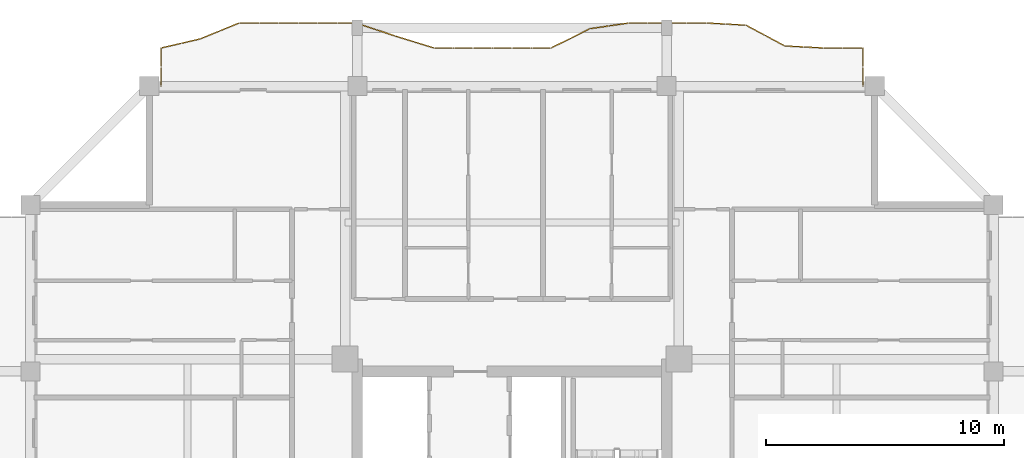
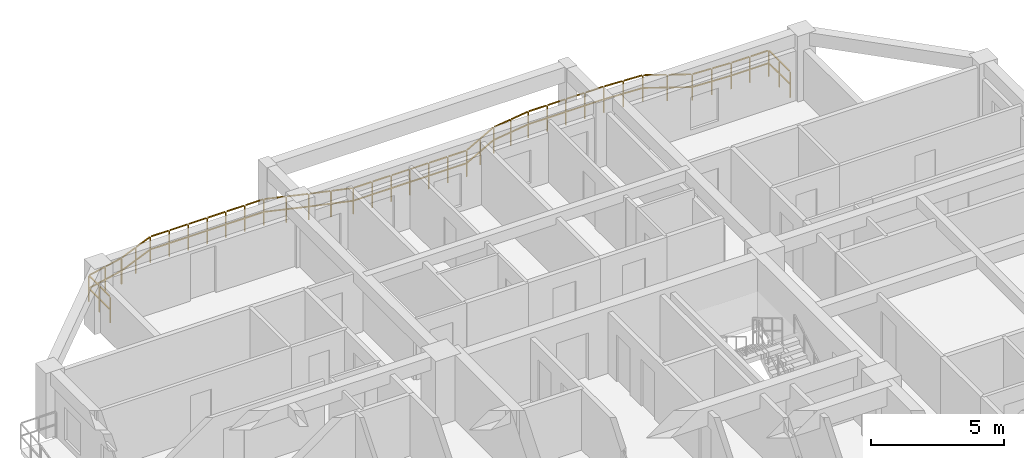
# One storey, part 13 of 13: 1 railing.
"""IFC4 building model written with IfcOpenShell, lengths in metres."""

from ifc_helpers import new_model, si_unit, direction, frame, origin, origin_2d, place, context, subcontext, project, spatial, rectangle, extrude, material, type_object, element, save


model = new_model("IFC4")

# Units and contexts
model_context = context("Model", 3, precision=1e-05, world=origin(), true_north=direction((0.0, 1.0)))
body_context = subcontext(model_context, "Body", "Model", "MODEL_VIEW")
ifc_project = project(units=[si_unit("LENGTHUNIT", "METRE"), si_unit("AREAUNIT", "SQUARE_METRE"), si_unit("VOLUMEUNIT", "CUBIC_METRE"), si_unit("PLANEANGLEUNIT", "RADIAN"), si_unit("MASSUNIT", "GRAM", prefix="KILO")], contexts=[model_context])

# Site, building, storey
site_placement = place(None, origin())
site = spatial("IfcSite", under=ifc_project, at=site_placement, CompositionType="ELEMENT")
building_placement = place(site_placement, origin())
building = spatial("IfcBuilding", under=site, at=building_placement, Name="Saelheon Loggia Tower", CompositionType="ELEMENT")
storey_placement = place(building_placement, frame((0.0, 0.0, 189.699951171875)))
storey = spatial("IfcBuildingStorey", under=building, at=storey_placement, Name="L59", CompositionType="ELEMENT", Elevation=189.699951171875)

# Railing
ifc_material = material(Name="Architectural Precast Concrete and Laminated Glass Guard", Category="concrete")
railing_type = type_object("IfcRailingType", Name="Guard_Loggia_RL_LOG", PredefinedType="BALUSTRADE", material=ifc_material)
railing_placement = place(storey_placement, frame((52.75, 48.0, 0.0)))
element("IfcRailing", 1, at=railing_placement, inside=storey, type_object=railing_type, Name="L59 North Loggia Balustrade", PredefinedType="BALUSTRADE", context=body_context, shape_type="SweptSolid", body=[
    extrude(rectangle(XDim=0.048095703125, YDim=0.048095703125, at=origin_2d()), frame((0.0, 0.033203125, 1.19580078125), z_axis=(0.0, 1.0, 0.0), x_axis=(-1.0, 0.0, 0.0)), (0.0, 0.0, 1.0), 0.733642578125),
    extrude(rectangle(XDim=0.048095703125, YDim=0.048095703125, at=origin_2d()), frame((0.0, 0.033203125, 0.60986328125), z_axis=(0.0, 1.0, 0.0), x_axis=(-1.0, 0.0, 0.0)), (0.0, 0.0, 1.0), 0.733642578125),
    extrude(rectangle(XDim=0.048095703125, YDim=0.048095703125, at=origin_2d()), frame((0.0, 0.833251953125, 1.19580078125), z_axis=(0.0, 1.0, 0.0), x_axis=(-1.0, 0.0, 0.0)), (0.0, 0.0, 1.0), 0.733642578125),
    extrude(rectangle(XDim=0.048095703125, YDim=0.048095703125, at=origin_2d()), frame((0.0, 0.833251953125, 0.60986328125), z_axis=(0.0, 1.0, 0.0), x_axis=(-1.0, 0.0, 0.0)), (0.0, 0.0, 1.0), 0.733642578125),
    extrude(rectangle(XDim=0.048095703125, YDim=0.048095703125, at=origin_2d()), frame((-0.033203125, 1.60009765625, 1.19580078125), z_axis=(-1.0, 0.0, 0.0), x_axis=(0.0, -1.0, 0.0)), (0.0, 0.0, 1.0), 0.7529296875),
    extrude(rectangle(XDim=0.048095703125, YDim=0.048095703125, at=origin_2d()), frame((-0.033203125, 1.60009765625, 0.60986328125), z_axis=(-1.0, 0.0, 0.0), x_axis=(0.0, -1.0, 0.0)), (0.0, 0.0, 1.0), 0.7529296875),
    extrude(rectangle(XDim=0.048095703125, YDim=0.048095703125, at=origin_2d()), frame((-0.852783203125, 1.60009765625, 1.19580078125), z_axis=(-1.0, 0.0, 0.0), x_axis=(0.0, -1.0, 0.0)), (0.0, 0.0, 1.0), 0.7529296875),
    extrude(rectangle(XDim=0.048095703125, YDim=0.048095703125, at=origin_2d()), frame((-0.852783203125, 1.60009765625, 0.60986328125), z_axis=(-1.0, 0.0, 0.0), x_axis=(0.0, -1.0, 0.0)), (0.0, 0.0, 1.0), 0.7529296875),
    extrude(rectangle(XDim=0.048095703125, YDim=0.048095703125, at=origin_2d()), frame((-1.672119140625, 1.601806640625, 1.19580078125), z_axis=(-0.998651321958, 0.051918562694, 0.0), x_axis=(-0.051918562694, -0.998651321958, 0.0)), (0.0, 0.0, 1.0), 0.754150390625),
    extrude(rectangle(XDim=0.048095703125, YDim=0.048095703125, at=origin_2d()), frame((-1.672119140625, 1.601806640625, 0.60986328125), z_axis=(-0.998651321958, 0.051918562694, 0.0), x_axis=(-0.051918562694, -0.998651321958, 0.0)), (0.0, 0.0, 1.0), 0.754150390625),
    extrude(rectangle(XDim=0.048095703125, YDim=0.048095703125, at=origin_2d()), frame((-2.491455078125, 1.64453125, 1.19580078125), z_axis=(-0.998651321958, 0.051918562694, 0.0), x_axis=(-0.051918562694, -0.998651321958, 0.0)), (0.0, 0.0, 1.0), 0.754150390625),
    extrude(rectangle(XDim=0.048095703125, YDim=0.048095703125, at=origin_2d()), frame((-2.491455078125, 1.64453125, 0.60986328125), z_axis=(-0.998651321958, 0.051918562694, 0.0), x_axis=(-0.051918562694, -0.998651321958, 0.0)), (0.0, 0.0, 1.0), 0.754150390625),
    extrude(rectangle(XDim=0.048095703125, YDim=0.048095703125, at=origin_2d()), frame((-3.30712890625, 1.700927734375, 1.19580078125), z_axis=(-0.882149151699, 0.47097014147, 0.0), x_axis=(-0.47097014147, -0.882149151699, 0.0)), (0.0, 0.0, 1.0), 0.862548828125),
    extrude(rectangle(XDim=0.048095703125, YDim=0.048095703125, at=origin_2d()), frame((-3.30712890625, 1.700927734375, 0.60986328125), z_axis=(-0.882149151699, 0.47097014147, 0.0), x_axis=(-0.47097014147, -0.882149151699, 0.0)), (0.0, 0.0, 1.0), 0.862548828125),
    extrude(rectangle(XDim=0.048095703125, YDim=0.048095703125, at=origin_2d()), frame((-4.126708984375, 2.138427734375, 1.19580078125), z_axis=(-0.882149151699, 0.47097014147, 0.0), x_axis=(-0.47097014147, -0.882149151699, 0.0)), (0.0, 0.0, 1.0), 0.862548828125),
    extrude(rectangle(XDim=0.048095703125, YDim=0.048095703125, at=origin_2d()), frame((-4.126708984375, 2.138427734375, 0.60986328125), z_axis=(-0.882149151699, 0.47097014147, 0.0), x_axis=(-0.47097014147, -0.882149151699, 0.0)), (0.0, 0.0, 1.0), 0.862548828125),
    extrude(rectangle(XDim=0.048095703125, YDim=0.048095703125, at=origin_2d()), frame((-4.949951171875, 2.56201171875, 1.19580078125), z_axis=(-0.998508934744, 0.054588526598, 0.0), x_axis=(-0.054588526598, -0.998508934744, 0.0)), (0.0, 0.0, 1.0), 0.754150390625),
    extrude(rectangle(XDim=0.048095703125, YDim=0.048095703125, at=origin_2d()), frame((-4.949951171875, 2.56201171875, 0.60986328125), z_axis=(-0.998508934744, 0.054588526598, 0.0), x_axis=(-0.054588526598, -0.998508934744, 0.0)), (0.0, 0.0, 1.0), 0.754150390625),
    extrude(rectangle(XDim=0.048095703125, YDim=0.048095703125, at=origin_2d()), frame((-5.769287109375, 2.60693359375, 1.19580078125), z_axis=(-0.998508934744, 0.054588526598, 0.0), x_axis=(-0.054588526598, -0.998508934744, 0.0)), (0.0, 0.0, 1.0), 0.754150390625),
    extrude(rectangle(XDim=0.048095703125, YDim=0.048095703125, at=origin_2d()), frame((-5.769287109375, 2.60693359375, 0.60986328125), z_axis=(-0.998508934744, 0.054588526598, 0.0), x_axis=(-0.054588526598, -0.998508934744, 0.0)), (0.0, 0.0, 1.0), 0.754150390625),
    extrude(rectangle(XDim=0.048095703125, YDim=0.048095703125, at=origin_2d()), frame((-6.5888671875, 2.64990234375, 1.19580078125), z_axis=(-1.0, 0.0, 0.0), x_axis=(0.0, -1.0, 0.0)), (0.0, 0.0, 1.0), 0.7529296875),
    extrude(rectangle(XDim=0.048095703125, YDim=0.048095703125, at=origin_2d()), frame((-6.5888671875, 2.64990234375, 0.60986328125), z_axis=(-1.0, 0.0, 0.0), x_axis=(0.0, -1.0, 0.0)), (0.0, 0.0, 1.0), 0.7529296875),
    extrude(rectangle(XDim=0.048095703125, YDim=0.048095703125, at=origin_2d()), frame((-7.408203125, 2.64990234375, 1.19580078125), z_axis=(-1.0, 0.0, 0.0), x_axis=(0.0, -1.0, 0.0)), (0.0, 0.0, 1.0), 0.7529296875),
    extrude(rectangle(XDim=0.048095703125, YDim=0.048095703125, at=origin_2d()), frame((-7.408203125, 2.64990234375, 0.60986328125), z_axis=(-1.0, 0.0, 0.0), x_axis=(0.0, -1.0, 0.0)), (0.0, 0.0, 1.0), 0.7529296875),
    extrude(rectangle(XDim=0.048095703125, YDim=0.048095703125, at=origin_2d()), frame((-8.2275390625, 2.64990234375, 1.19580078125), z_axis=(-1.0, 0.0, 0.0), x_axis=(0.0, -1.0, 0.0)), (0.0, 0.0, 1.0), 0.7529296875),
    extrude(rectangle(XDim=0.048095703125, YDim=0.048095703125, at=origin_2d()), frame((-8.2275390625, 2.64990234375, 0.60986328125), z_axis=(-1.0, 0.0, 0.0), x_axis=(0.0, -1.0, 0.0)), (0.0, 0.0, 1.0), 0.7529296875),
    extrude(rectangle(XDim=0.048095703125, YDim=0.048095703125, at=origin_2d()), frame((-9.047119140625, 2.64990234375, 1.19580078125), z_axis=(-1.0, 0.0, 0.0), x_axis=(0.0, -1.0, 0.0)), (0.0, 0.0, 1.0), 0.7529296875),
    extrude(rectangle(XDim=0.048095703125, YDim=0.048095703125, at=origin_2d()), frame((-9.047119140625, 2.64990234375, 0.60986328125), z_axis=(-1.0, 0.0, 0.0), x_axis=(0.0, -1.0, 0.0)), (0.0, 0.0, 1.0), 0.7529296875),
    extrude(rectangle(XDim=0.048095703125, YDim=0.048095703125, at=origin_2d()), frame((-9.8662109375, 2.64501953125, 1.19580078125), z_axis=(-0.989299780528, -0.145897033029, 0.0), x_axis=(0.145897033029, -0.989299780528, 0.0)), (0.0, 0.0, 1.0), 0.761962890625),
    extrude(rectangle(XDim=0.048095703125, YDim=0.048095703125, at=origin_2d()), frame((-9.8662109375, 2.64501953125, 0.60986328125), z_axis=(-0.989299780528, -0.145897033029, 0.0), x_axis=(0.145897033029, -0.989299780528, 0.0)), (0.0, 0.0, 1.0), 0.761962890625),
    extrude(rectangle(XDim=0.048095703125, YDim=0.048095703125, at=origin_2d()), frame((-10.685546875, 2.524169921875, 1.19580078125), z_axis=(-0.989299780528, -0.145897033029, 0.0), x_axis=(0.145897033029, -0.989299780528, 0.0)), (0.0, 0.0, 1.0), 0.761962890625),
    extrude(rectangle(XDim=0.048095703125, YDim=0.048095703125, at=origin_2d()), frame((-10.685546875, 2.524169921875, 0.60986328125), z_axis=(-0.989299780528, -0.145897033029, 0.0), x_axis=(0.145897033029, -0.989299780528, 0.0)), (0.0, 0.0, 1.0), 0.761962890625),
    extrude(rectangle(XDim=0.048095703125, YDim=0.048095703125, at=origin_2d()), frame((-11.501953125, 2.3935546875, 1.19580078125), z_axis=(-0.896898457254, -0.442236540073, 0.0), x_axis=(0.442236540073, -0.896898457254, 0.0)), (0.0, 0.0, 1.0), 0.84716796875),
    extrude(rectangle(XDim=0.048095703125, YDim=0.048095703125, at=origin_2d()), frame((-11.501953125, 2.3935546875, 0.60986328125), z_axis=(-0.896898457254, -0.442236540073, 0.0), x_axis=(0.442236540073, -0.896898457254, 0.0)), (0.0, 0.0, 1.0), 0.84716796875),
    extrude(rectangle(XDim=0.048095703125, YDim=0.048095703125, at=origin_2d()), frame((-12.321533203125, 1.989501953125, 1.19580078125), z_axis=(-0.896898457254, -0.442236540073, 0.0), x_axis=(0.442236540073, -0.896898457254, 0.0)), (0.0, 0.0, 1.0), 0.84716796875),
    extrude(rectangle(XDim=0.048095703125, YDim=0.048095703125, at=origin_2d()), frame((-12.321533203125, 1.989501953125, 0.60986328125), z_axis=(-0.896898457254, -0.442236540073, 0.0), x_axis=(0.442236540073, -0.896898457254, 0.0)), (0.0, 0.0, 1.0), 0.84716796875),
    extrude(rectangle(XDim=0.048095703125, YDim=0.048095703125, at=origin_2d()), frame((-13.144287109375, 1.60009765625, 1.19580078125), z_axis=(-1.0, 0.0, 0.0), x_axis=(0.0, -1.0, 0.0)), (0.0, 0.0, 1.0), 0.7529296875),
    extrude(rectangle(XDim=0.048095703125, YDim=0.048095703125, at=origin_2d()), frame((-13.144287109375, 1.60009765625, 0.60986328125), z_axis=(-1.0, 0.0, 0.0), x_axis=(0.0, -1.0, 0.0)), (0.0, 0.0, 1.0), 0.7529296875),
    extrude(rectangle(XDim=0.048095703125, YDim=0.048095703125, at=origin_2d()), frame((-13.9638671875, 1.60009765625, 1.19580078125), z_axis=(-1.0, 0.0, 0.0), x_axis=(0.0, -1.0, 0.0)), (0.0, 0.0, 1.0), 0.7529296875),
    extrude(rectangle(XDim=0.048095703125, YDim=0.048095703125, at=origin_2d()), frame((-13.9638671875, 1.60009765625, 0.60986328125), z_axis=(-1.0, 0.0, 0.0), x_axis=(0.0, -1.0, 0.0)), (0.0, 0.0, 1.0), 0.7529296875),
    extrude(rectangle(XDim=0.048095703125, YDim=0.048095703125, at=origin_2d()), frame((-14.783203125, 1.60009765625, 1.19580078125), z_axis=(-1.0, 0.0, 0.0), x_axis=(0.0, -1.0, 0.0)), (0.0, 0.0, 1.0), 0.7529296875),
    extrude(rectangle(XDim=0.048095703125, YDim=0.048095703125, at=origin_2d()), frame((-14.783203125, 1.60009765625, 0.60986328125), z_axis=(-1.0, 0.0, 0.0), x_axis=(0.0, -1.0, 0.0)), (0.0, 0.0, 1.0), 0.7529296875),
    extrude(rectangle(XDim=0.048095703125, YDim=0.048095703125, at=origin_2d()), frame((-15.602783203125, 1.60009765625, 1.19580078125), z_axis=(-1.0, 0.0, 0.0), x_axis=(0.0, -1.0, 0.0)), (0.0, 0.0, 1.0), 0.7529296875),
    extrude(rectangle(XDim=0.048095703125, YDim=0.048095703125, at=origin_2d()), frame((-15.602783203125, 1.60009765625, 0.60986328125), z_axis=(-1.0, 0.0, 0.0), x_axis=(0.0, -1.0, 0.0)), (0.0, 0.0, 1.0), 0.7529296875),
    extrude(rectangle(XDim=0.048095703125, YDim=0.048095703125, at=origin_2d()), frame((-16.422119140625, 1.60009765625, 1.19580078125), z_axis=(-1.0, 0.0, 0.0), x_axis=(0.0, -1.0, 0.0)), (0.0, 0.0, 1.0), 0.7529296875),
    extrude(rectangle(XDim=0.048095703125, YDim=0.048095703125, at=origin_2d()), frame((-16.422119140625, 1.60009765625, 0.60986328125), z_axis=(-1.0, 0.0, 0.0), x_axis=(0.0, -1.0, 0.0)), (0.0, 0.0, 1.0), 0.7529296875),
    extrude(rectangle(XDim=0.048095703125, YDim=0.048095703125, at=origin_2d()), frame((-17.24169921875, 1.60009765625, 1.19580078125), z_axis=(-1.0, 0.0, 0.0), x_axis=(0.0, -1.0, 0.0)), (0.0, 0.0, 1.0), 0.7529296875),
    extrude(rectangle(XDim=0.048095703125, YDim=0.048095703125, at=origin_2d()), frame((-17.24169921875, 1.60009765625, 0.60986328125), z_axis=(-1.0, 0.0, 0.0), x_axis=(0.0, -1.0, 0.0)), (0.0, 0.0, 1.0), 0.7529296875),
    extrude(rectangle(XDim=0.048095703125, YDim=0.048095703125, at=origin_2d()), frame((-18.0595703125, 1.60986328125, 1.19580078125), z_axis=(-0.955720503255, 0.29427592436, 0.0), x_axis=(-0.29427592436, -0.955720503255, 0.0)), (0.0, 0.0, 1.0), 0.791015625),
    extrude(rectangle(XDim=0.048095703125, YDim=0.048095703125, at=origin_2d()), frame((-18.0595703125, 1.60986328125, 0.60986328125), z_axis=(-0.955720503255, 0.29427592436, 0.0), x_axis=(-0.29427592436, -0.955720503255, 0.0)), (0.0, 0.0, 1.0), 0.791015625),
    extrude(rectangle(XDim=0.048095703125, YDim=0.048095703125, at=origin_2d()), frame((-18.879150390625, 1.8623046875, 1.19580078125), z_axis=(-0.955720503255, 0.29427592436, 0.0), x_axis=(-0.29427592436, -0.955720503255, 0.0)), (0.0, 0.0, 1.0), 0.791015625),
    extrude(rectangle(XDim=0.048095703125, YDim=0.048095703125, at=origin_2d()), frame((-18.879150390625, 1.8623046875, 0.60986328125), z_axis=(-0.955720503255, 0.29427592436, 0.0), x_axis=(-0.29427592436, -0.955720503255, 0.0)), (0.0, 0.0, 1.0), 0.791015625),
    extrude(rectangle(XDim=0.048095703125, YDim=0.048095703125, at=origin_2d()), frame((-19.6982421875, 2.115234375, 1.19580078125), z_axis=(-0.948881001974, 0.315634035067, 0.0), x_axis=(-0.315634035067, -0.948881001974, 0.0)), (0.0, 0.0, 1.0), 0.797119140625),
    extrude(rectangle(XDim=0.048095703125, YDim=0.048095703125, at=origin_2d()), frame((-19.6982421875, 2.115234375, 0.60986328125), z_axis=(-0.948881001974, 0.315634035067, 0.0), x_axis=(-0.315634035067, -0.948881001974, 0.0)), (0.0, 0.0, 1.0), 0.797119140625),
    extrude(rectangle(XDim=0.048095703125, YDim=0.048095703125, at=origin_2d()), frame((-20.517822265625, 2.3876953125, 1.19580078125), z_axis=(-0.948881001974, 0.315634035067, 0.0), x_axis=(-0.315634035067, -0.948881001974, 0.0)), (0.0, 0.0, 1.0), 0.797119140625),
    extrude(rectangle(XDim=0.048095703125, YDim=0.048095703125, at=origin_2d()), frame((-20.517822265625, 2.3876953125, 0.60986328125), z_axis=(-0.948881001974, 0.315634035067, 0.0), x_axis=(-0.315634035067, -0.948881001974, 0.0)), (0.0, 0.0, 1.0), 0.797119140625),
    extrude(rectangle(XDim=0.048095703125, YDim=0.048095703125, at=origin_2d()), frame((-21.3388671875, 2.64990234375, 1.19580078125), z_axis=(-1.0, 0.0, 0.0), x_axis=(0.0, -1.0, 0.0)), (0.0, 0.0, 1.0), 0.7529296875),
    extrude(rectangle(XDim=0.048095703125, YDim=0.048095703125, at=origin_2d()), frame((-21.3388671875, 2.64990234375, 0.60986328125), z_axis=(-1.0, 0.0, 0.0), x_axis=(0.0, -1.0, 0.0)), (0.0, 0.0, 1.0), 0.7529296875),
    extrude(rectangle(XDim=0.048095703125, YDim=0.048095703125, at=origin_2d()), frame((-22.158203125, 2.64990234375, 1.19580078125), z_axis=(-1.0, 0.0, 0.0), x_axis=(0.0, -1.0, 0.0)), (0.0, 0.0, 1.0), 0.7529296875),
    extrude(rectangle(XDim=0.048095703125, YDim=0.048095703125, at=origin_2d()), frame((-22.158203125, 2.64990234375, 0.60986328125), z_axis=(-1.0, 0.0, 0.0), x_axis=(0.0, -1.0, 0.0)), (0.0, 0.0, 1.0), 0.7529296875),
    extrude(rectangle(XDim=0.048095703125, YDim=0.048095703125, at=origin_2d()), frame((-22.9775390625, 2.64990234375, 1.19580078125), z_axis=(-1.0, 0.0, 0.0), x_axis=(0.0, -1.0, 0.0)), (0.0, 0.0, 1.0), 0.7529296875),
    extrude(rectangle(XDim=0.048095703125, YDim=0.048095703125, at=origin_2d()), frame((-22.9775390625, 2.64990234375, 0.60986328125), z_axis=(-1.0, 0.0, 0.0), x_axis=(0.0, -1.0, 0.0)), (0.0, 0.0, 1.0), 0.7529296875),
    extrude(rectangle(XDim=0.048095703125, YDim=0.048095703125, at=origin_2d()), frame((-23.797119140625, 2.64990234375, 1.19580078125), z_axis=(-1.0, 0.0, 0.0), x_axis=(0.0, -1.0, 0.0)), (0.0, 0.0, 1.0), 0.7529296875),
    extrude(rectangle(XDim=0.048095703125, YDim=0.048095703125, at=origin_2d()), frame((-23.797119140625, 2.64990234375, 0.60986328125), z_axis=(-1.0, 0.0, 0.0), x_axis=(0.0, -1.0, 0.0)), (0.0, 0.0, 1.0), 0.7529296875),
    extrude(rectangle(XDim=0.048095703125, YDim=0.048095703125, at=origin_2d()), frame((-24.616455078125, 2.64990234375, 1.19580078125), z_axis=(-1.0, 0.0, 0.0), x_axis=(0.0, -1.0, 0.0)), (0.0, 0.0, 1.0), 0.7529296875),
    extrude(rectangle(XDim=0.048095703125, YDim=0.048095703125, at=origin_2d()), frame((-24.616455078125, 2.64990234375, 0.60986328125), z_axis=(-1.0, 0.0, 0.0), x_axis=(0.0, -1.0, 0.0)), (0.0, 0.0, 1.0), 0.7529296875),
    extrude(rectangle(XDim=0.048095703125, YDim=0.048095703125, at=origin_2d()), frame((-25.43603515625, 2.64990234375, 1.19580078125), z_axis=(-1.0, 0.0, 0.0), x_axis=(0.0, -1.0, 0.0)), (0.0, 0.0, 1.0), 0.7529296875),
    extrude(rectangle(XDim=0.048095703125, YDim=0.048095703125, at=origin_2d()), frame((-25.43603515625, 2.64990234375, 0.60986328125), z_axis=(-1.0, 0.0, 0.0), x_axis=(0.0, -1.0, 0.0)), (0.0, 0.0, 1.0), 0.7529296875),
    extrude(rectangle(XDim=0.048095703125, YDim=0.048095703125, at=origin_2d()), frame((-26.2529296875, 2.637451171875, 1.19580078125), z_axis=(-0.925895892942, -0.377778765197, 0.0), x_axis=(0.377778765197, -0.925895892942, 0.0)), (0.0, 0.0, 1.0), 0.818603515625),
    extrude(rectangle(XDim=0.048095703125, YDim=0.048095703125, at=origin_2d()), frame((-26.2529296875, 2.637451171875, 0.60986328125), z_axis=(-0.925895892942, -0.377778765197, 0.0), x_axis=(0.377778765197, -0.925895892942, 0.0)), (0.0, 0.0, 1.0), 0.818603515625),
    extrude(rectangle(XDim=0.048095703125, YDim=0.048095703125, at=origin_2d()), frame((-27.072509765625, 2.302978515625, 1.19580078125), z_axis=(-0.925895892942, -0.377778765197, 0.0), x_axis=(0.377778765197, -0.925895892942, 0.0)), (0.0, 0.0, 1.0), 0.818603515625),
    extrude(rectangle(XDim=0.048095703125, YDim=0.048095703125, at=origin_2d()), frame((-27.072509765625, 2.302978515625, 0.60986328125), z_axis=(-0.925895892942, -0.377778765197, 0.0), x_axis=(0.377778765197, -0.925895892942, 0.0)), (0.0, 0.0, 1.0), 0.818603515625),
    extrude(rectangle(XDim=0.048095703125, YDim=0.048095703125, at=origin_2d()), frame((-27.8935546875, 1.9736328125, 1.19580078125), z_axis=(-0.974013237942, -0.226491086612, 0.0), x_axis=(0.226491086612, -0.974013237942, 0.0)), (0.0, 0.0, 1.0), 0.77490234375),
    extrude(rectangle(XDim=0.048095703125, YDim=0.048095703125, at=origin_2d()), frame((-27.8935546875, 1.9736328125, 0.60986328125), z_axis=(-0.974013237942, -0.226491086612, 0.0), x_axis=(0.226491086612, -0.974013237942, 0.0)), (0.0, 0.0, 1.0), 0.77490234375),
    extrude(rectangle(XDim=0.048095703125, YDim=0.048095703125, at=origin_2d()), frame((-28.712890625, 1.783203125, 1.19580078125), z_axis=(-0.974013237942, -0.226491086612, 0.0), x_axis=(0.226491086612, -0.974013237942, 0.0)), (0.0, 0.0, 1.0), 0.77490234375),
    extrude(rectangle(XDim=0.048095703125, YDim=0.048095703125, at=origin_2d()), frame((-28.712890625, 1.783203125, 0.60986328125), z_axis=(-0.974013237942, -0.226491086612, 0.0), x_axis=(0.226491086612, -0.974013237942, 0.0)), (0.0, 0.0, 1.0), 0.77490234375),
    extrude(rectangle(XDim=0.048095703125, YDim=0.048095703125, at=origin_2d()), frame((-29.5, 1.56689453125, 1.19580078125), z_axis=(0.0, -1.0, 0.0), x_axis=(1.0, 0.0, 0.0)), (0.0, 0.0, 1.0), 0.733642578125),
    extrude(rectangle(XDim=0.048095703125, YDim=0.048095703125, at=origin_2d()), frame((-29.5, 1.56689453125, 0.60986328125), z_axis=(0.0, -1.0, 0.0), x_axis=(1.0, 0.0, 0.0)), (0.0, 0.0, 1.0), 0.733642578125),
    extrude(rectangle(XDim=0.048095703125, YDim=0.048095703125, at=origin_2d()), frame((-29.5, 0.766845703125, 1.19580078125), z_axis=(0.0, -1.0, 0.0), x_axis=(1.0, 0.0, 0.0)), (0.0, 0.0, 1.0), 0.733642578125),
    extrude(rectangle(XDim=0.048095703125, YDim=0.048095703125, at=origin_2d()), frame((-29.5, 0.766845703125, 0.60986328125), z_axis=(0.0, -1.0, 0.0), x_axis=(1.0, 0.0, 0.0)), (0.0, 0.0, 1.0), 0.733642578125),
    extrude(rectangle(XDim=0.0419921875, YDim=0.0419921875, at=origin_2d()), origin(), (0.0, 0.0, 1.0), 1.16796875),
    extrude(rectangle(XDim=0.0419921875, YDim=0.0419921875, at=origin_2d()), frame((0.0, 0.800048828125, 0.0)), (0.0, 0.0, 1.0), 1.16796875),
    extrude(rectangle(XDim=0.0419921875, YDim=0.0419921875, at=origin_2d()), frame((0.0, 1.60009765625, 0.0)), (0.0, 0.0, 1.0), 1.16796875),
    extrude(rectangle(XDim=0.0419921875, YDim=0.0419921875, at=origin_2d()), frame((-0.8193359375, 1.60009765625, 0.0)), (0.0, 0.0, 1.0), 1.16796875),
    extrude(rectangle(XDim=0.0419921875, YDim=0.0419921875, at=origin_2d()), frame((-1.638916015625, 1.60009765625, 0.0)), (0.0, 0.0, 1.0), 1.16796875),
    extrude(rectangle(XDim=0.0419921875, YDim=0.0419921875, at=origin_2d()), frame((-2.45849609375, 1.642578125, 0.0)), (0.0, 0.0, 1.0), 1.16796875),
    extrude(rectangle(XDim=0.0419921875, YDim=0.0419921875, at=origin_2d()), frame((-3.27783203125, 1.685302734375, 0.0)), (0.0, 0.0, 1.0), 1.16796875),
    extrude(rectangle(XDim=0.0419921875, YDim=0.0419921875, at=origin_2d()), frame((-4.09716796875, 2.122802734375, 0.0)), (0.0, 0.0, 1.0), 1.16796875),
    extrude(rectangle(XDim=0.0419921875, YDim=0.0419921875, at=origin_2d()), frame((-4.916748046875, 2.560302734375, 0.0)), (0.0, 0.0, 1.0), 1.16796875),
    extrude(rectangle(XDim=0.0419921875, YDim=0.0419921875, at=origin_2d()), frame((-5.736328125, 2.60498046875, 0.0)), (0.0, 0.0, 1.0), 1.16796875),
    extrude(rectangle(XDim=0.0419921875, YDim=0.0419921875, at=origin_2d()), frame((-6.5556640625, 2.64990234375, 0.0)), (0.0, 0.0, 1.0), 1.16796875),
    extrude(rectangle(XDim=0.0419921875, YDim=0.0419921875, at=origin_2d()), frame((-7.375, 2.64990234375, 0.0)), (0.0, 0.0, 1.0), 1.16796875),
    extrude(rectangle(XDim=0.0419921875, YDim=0.0419921875, at=origin_2d()), frame((-8.1943359375, 2.64990234375, 0.0)), (0.0, 0.0, 1.0), 1.16796875),
    extrude(rectangle(XDim=0.0419921875, YDim=0.0419921875, at=origin_2d()), frame((-9.013671875, 2.64990234375, 0.0)), (0.0, 0.0, 1.0), 1.16796875),
    extrude(rectangle(XDim=0.0419921875, YDim=0.0419921875, at=origin_2d()), frame((-9.833251953125, 2.64990234375, 0.0)), (0.0, 0.0, 1.0), 1.16796875),
    extrude(rectangle(XDim=0.0419921875, YDim=0.0419921875, at=origin_2d()), frame((-10.65283203125, 2.529052734375, 0.0)), (0.0, 0.0, 1.0), 1.16796875),
    extrude(rectangle(XDim=0.0419921875, YDim=0.0419921875, at=origin_2d()), frame((-11.47216796875, 2.408203125, 0.0)), (0.0, 0.0, 1.0), 1.16796875),
    extrude(rectangle(XDim=0.0419921875, YDim=0.0419921875, at=origin_2d()), frame((-12.29150390625, 2.004150390625, 0.0)), (0.0, 0.0, 1.0), 1.16796875),
    extrude(rectangle(XDim=0.0419921875, YDim=0.0419921875, at=origin_2d()), frame((-13.111083984375, 1.60009765625, 0.0)), (0.0, 0.0, 1.0), 1.16796875),
    extrude(rectangle(XDim=0.0419921875, YDim=0.0419921875, at=origin_2d()), frame((-13.9306640625, 1.60009765625, 0.0)), (0.0, 0.0, 1.0), 1.16796875),
    extrude(rectangle(XDim=0.0419921875, YDim=0.0419921875, at=origin_2d()), frame((-14.75, 1.60009765625, 0.0)), (0.0, 0.0, 1.0), 1.16796875),
    extrude(rectangle(XDim=0.0419921875, YDim=0.0419921875, at=origin_2d()), frame((-15.5693359375, 1.60009765625, 0.0)), (0.0, 0.0, 1.0), 1.16796875),
    extrude(rectangle(XDim=0.0419921875, YDim=0.0419921875, at=origin_2d()), frame((-16.388916015625, 1.60009765625, 0.0)), (0.0, 0.0, 1.0), 1.16796875),
    extrude(rectangle(XDim=0.0419921875, YDim=0.0419921875, at=origin_2d()), frame((-17.20849609375, 1.60009765625, 0.0)), (0.0, 0.0, 1.0), 1.16796875),
    extrude(rectangle(XDim=0.0419921875, YDim=0.0419921875, at=origin_2d()), frame((-18.02783203125, 1.60009765625, 0.0)), (0.0, 0.0, 1.0), 1.16796875),
    extrude(rectangle(XDim=0.0419921875, YDim=0.0419921875, at=origin_2d()), frame((-18.84716796875, 1.8525390625, 0.0)), (0.0, 0.0, 1.0), 1.16796875),
    extrude(rectangle(XDim=0.0419921875, YDim=0.0419921875, at=origin_2d()), frame((-19.666748046875, 2.104736328125, 0.0)), (0.0, 0.0, 1.0), 1.16796875),
    extrude(rectangle(XDim=0.0419921875, YDim=0.0419921875, at=origin_2d()), frame((-20.486328125, 2.37744140625, 0.0)), (0.0, 0.0, 1.0), 1.16796875),
    extrude(rectangle(XDim=0.0419921875, YDim=0.0419921875, at=origin_2d()), frame((-21.3056640625, 2.64990234375, 0.0)), (0.0, 0.0, 1.0), 1.16796875),
    extrude(rectangle(XDim=0.0419921875, YDim=0.0419921875, at=origin_2d()), frame((-22.125, 2.64990234375, 0.0)), (0.0, 0.0, 1.0), 1.16796875),
    extrude(rectangle(XDim=0.0419921875, YDim=0.0419921875, at=origin_2d()), frame((-22.9443359375, 2.64990234375, 0.0)), (0.0, 0.0, 1.0), 1.16796875),
    extrude(rectangle(XDim=0.0419921875, YDim=0.0419921875, at=origin_2d()), frame((-23.763671875, 2.64990234375, 0.0)), (0.0, 0.0, 1.0), 1.16796875),
    extrude(rectangle(XDim=0.0419921875, YDim=0.0419921875, at=origin_2d()), frame((-24.583251953125, 2.64990234375, 0.0)), (0.0, 0.0, 1.0), 1.16796875),
    extrude(rectangle(XDim=0.0419921875, YDim=0.0419921875, at=origin_2d()), frame((-25.40283203125, 2.64990234375, 0.0)), (0.0, 0.0, 1.0), 1.16796875),
    extrude(rectangle(XDim=0.0419921875, YDim=0.0419921875, at=origin_2d()), frame((-26.22216796875, 2.64990234375, 0.0)), (0.0, 0.0, 1.0), 1.16796875),
    extrude(rectangle(XDim=0.0419921875, YDim=0.0419921875, at=origin_2d()), frame((-27.04150390625, 2.3154296875, 0.0)), (0.0, 0.0, 1.0), 1.16796875),
    extrude(rectangle(XDim=0.0419921875, YDim=0.0419921875, at=origin_2d()), frame((-27.861083984375, 1.981201171875, 0.0)), (0.0, 0.0, 1.0), 1.16796875),
    extrude(rectangle(XDim=0.0419921875, YDim=0.0419921875, at=origin_2d()), frame((-28.6806640625, 1.79052734375, 0.0)), (0.0, 0.0, 1.0), 1.16796875),
    extrude(rectangle(XDim=0.0419921875, YDim=0.0419921875, at=origin_2d()), frame((-29.5, 1.60009765625, 0.0)), (0.0, 0.0, 1.0), 1.16796875),
    extrude(rectangle(XDim=0.0419921875, YDim=0.0419921875, at=origin_2d()), frame((-29.5, 0.800048828125, 0.0)), (0.0, 0.0, 1.0), 1.16796875),
    extrude(rectangle(XDim=0.0419921875, YDim=0.0419921875, at=origin_2d()), frame((-29.5, 0.0, 0.0)), (0.0, 0.0, 1.0), 1.16796875),
])

save(model, "model.ifc")
